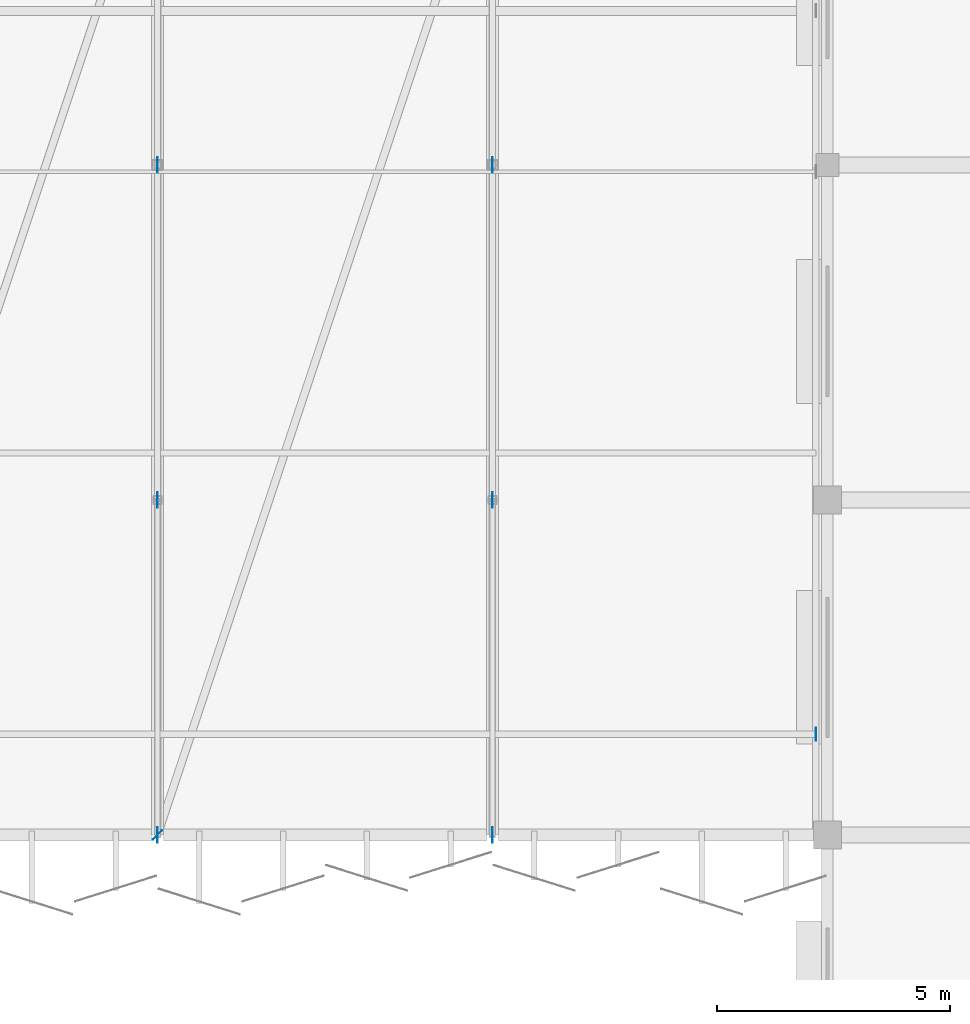
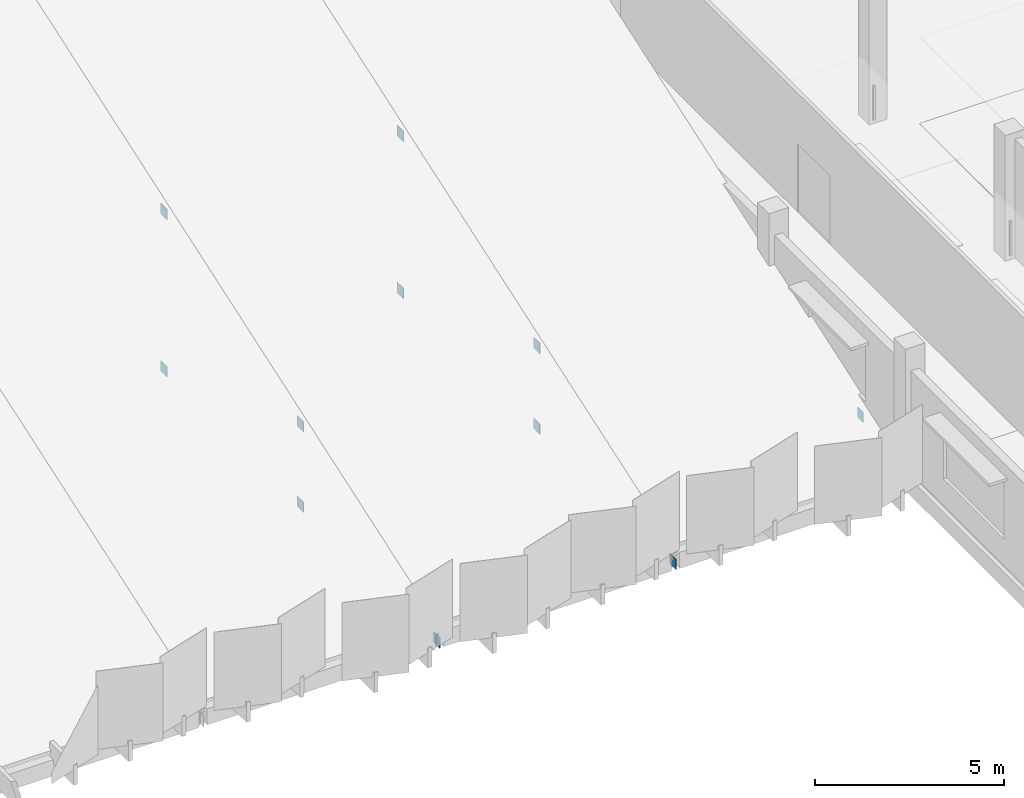
# One storey, part 37 of 59: 12 plates.
"""IFC4 building model written with IfcOpenShell, lengths in metres."""

from ifc_helpers import new_model, si_unit, direction, frame, origin, origin_2d, place, context, subcontext, project, spatial, rectangle, extrude, material, layer, layer_set, type_object, element, save


model = new_model("IFC4")

# Units and contexts
model_context = context("Model", 3, precision=1e-05, world=origin(), true_north=direction((0.0, 1.0)))
body_context = subcontext(model_context, "Body", "Model", "MODEL_VIEW")
ifc_project = project(units=[si_unit("LENGTHUNIT", "METRE"), si_unit("AREAUNIT", "SQUARE_METRE"), si_unit("VOLUMEUNIT", "CUBIC_METRE"), si_unit("PLANEANGLEUNIT", "RADIAN"), si_unit("MASSUNIT", "GRAM", prefix="KILO")], contexts=[model_context])

# Site, building, storey
site_placement = place(None, origin())
site = spatial("IfcSite", under=ifc_project, at=site_placement, CompositionType="ELEMENT")
building_placement = place(site_placement, origin())
building = spatial("IfcBuilding", under=site, at=building_placement, Name="Kangsadwip Square Police Headquarters", CompositionType="ELEMENT")
storey_placement = place(building_placement, frame((0.0, 0.0, 21.60009765625)))
storey = spatial("IfcBuildingStorey", under=building, at=storey_placement, Name="L05", CompositionType="ELEMENT", Elevation=21.60009765625)

# Plates
ifc_material_1 = material(Name="Structural steel IS 2062 E350 (Grade 350, 350 MPa)", Category="steel")
ifc_layer_1 = layer(ifc_material_1, 0.011962890625)
ifc_layer_set_1 = layer_set([ifc_layer_1], Name="Structural steel IS 2062 E350 (Grade 350, 350 MPa)")
plate_type_1 = type_object("IfcPlateType", Name="TrussEndCapPlate12", PredefinedType="USERDEFINED", material=ifc_layer_set_1)
plate_1_placement = place(storey_placement, frame((129.60009765625, 93.60009765625, -0.68994140625), z_axis=(0.0, 0.0, 1.0), x_axis=(0.707106781187, 0.707106781187, 0.0)))
element("IfcPlate", 1, at=plate_1_placement, inside=storey, type_object=plate_type_1, Name="Truss Node Gusset Plate GP-L05-0112", ObjectType="GUSSET_PLATE", PredefinedType="USERDEFINED", context=body_context, shape_type="SweptSolid", body=[
    extrude(rectangle(XDim=0.280029296875, YDim=0.011962890625, at=origin_2d()), origin(), (0.0, 0.0, 1.0), 0.280029296875),
])
plate_2_placement = place(storey_placement, frame((143.756103515625, 95.760009765625, 0.259765625), z_axis=(0.0, 0.0, 1.0), x_axis=(0.0, 1.0, 0.0)))
element("IfcPlate", 2, at=plate_2_placement, inside=storey, type_object=plate_type_1, Name="Truss Node Gusset Plate GP-L05-0114", ObjectType="GUSSET_PLATE", PredefinedType="USERDEFINED", context=body_context, shape_type="SweptSolid", body=[
    extrude(rectangle(XDim=0.280029296875, YDim=0.011962890625, at=origin_2d()), origin(), (0.0, 0.0, 1.0), 0.340087890625),
])
ifc_material_2 = material(Name="Structural steel IS 2062 E350 (Grade 350, 350 MPa)", Category="steel")
ifc_layer_2 = layer(ifc_material_2, 0.01611328125)
ifc_layer_set_2 = layer_set([ifc_layer_2], Name="Structural steel IS 2062 E350 (Grade 350, 350 MPa)")
plate_type_2 = type_object("IfcPlateType", Name="TrussGussetPlate16", PredefinedType="USERDEFINED", material=ifc_layer_set_2)
for number, where, z_axis, x_axis, name in (
    (3, (129.60009765625, 100.800048828125, -0.72021484375), (0.0, 0.0, 1.0), (0.0, 1.0, 0.0), "Truss Node Gusset Plate GP-L05-0087"),
    (4, (129.60009765625, 100.800048828125, 1.87646484375), (0.0, 0.0, 1.0), (0.0, 1.0, 0.0), "Truss Node Gusset Plate GP-L05-0088"),
    (5, (129.60009765625, 108.0, -0.72021484375), (0.0, 0.0, 1.0), (0.0, 1.0, 0.0), "Truss Node Gusset Plate GP-L05-0089"),
    (6, (129.60009765625, 108.0, 4.34326171875), (0.0, 0.0, 1.0), (0.0, 1.0, 0.0), "Truss Node Gusset Plate GP-L05-0090"),
    (7, (129.60009765625, 93.60009765625, -0.72021484375), (0.0, 0.0, 1.0), (0.0, 1.0, 0.0), "Truss Node Gusset Plate GP-L05-0093"),
    (8, (136.800048828125, 100.800048828125, -0.72021484375), (0.0, 0.0, 1.0), (0.0, 1.0, 0.0), "Truss Node Gusset Plate GP-L05-0094"),
    (9, (136.800048828125, 100.800048828125, 1.87646484375), (0.0, 0.0, 1.0), (0.0, 1.0, 0.0), "Truss Node Gusset Plate GP-L05-0095"),
    (10, (136.800048828125, 108.0, -0.72021484375), (0.0, 0.0, 1.0), (0.0, 1.0, 0.0), "Truss Node Gusset Plate GP-L05-0096"),
    (11, (136.800048828125, 108.0, 4.34326171875), (0.0, 0.0, 1.0), (0.0, 1.0, 0.0), "Truss Node Gusset Plate GP-L05-0097"),
    (12, (136.800048828125, 93.60009765625, -0.72021484375), (0.0, 0.0, 1.0), (0.0, 1.0, 0.0), "Truss Node Gusset Plate GP-L05-0100"),
):
    element("IfcPlate", number, at=place(storey_placement, frame(where, z_axis=z_axis, x_axis=x_axis)), inside=storey, type_object=plate_type_2, Name=name, ObjectType="GUSSET_PLATE", PredefinedType="USERDEFINED", context=body_context, shape_type="SweptSolid", body=[
        extrude(rectangle(XDim=0.340087890625, YDim=0.01611328125, at=origin_2d()), origin(), (0.0, 0.0, 1.0), 0.340087890625),
    ])

save(model, "model.ifc")
